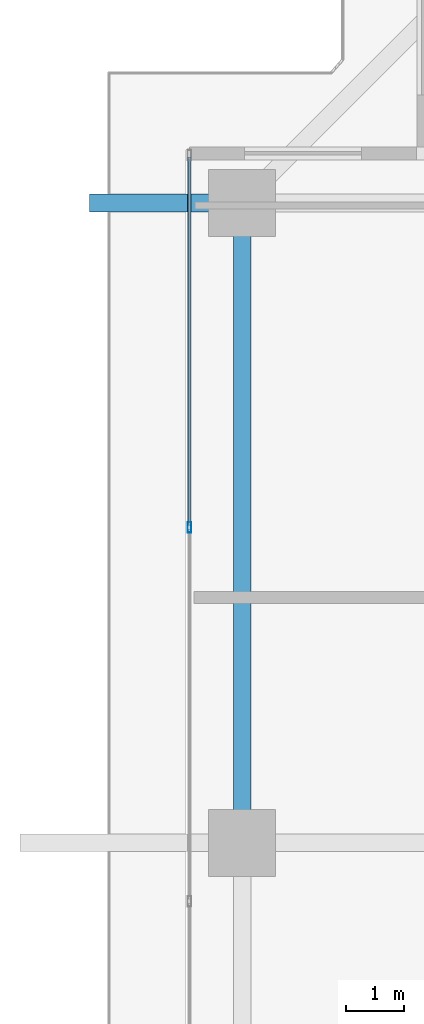
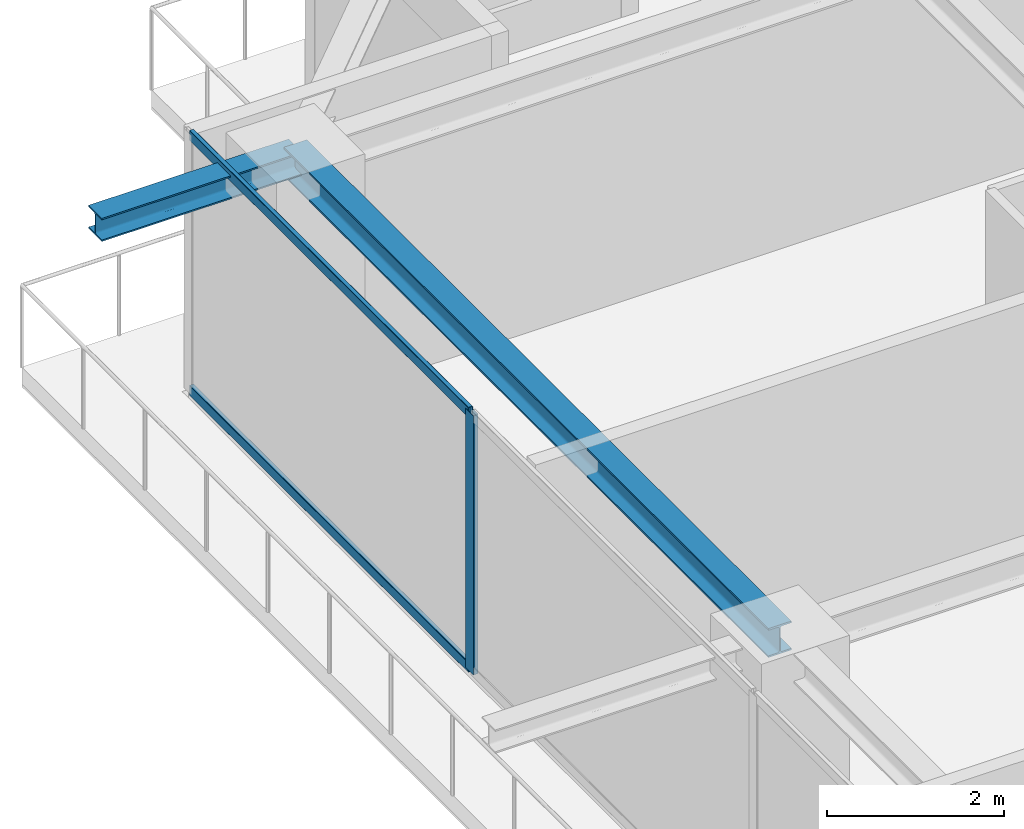
# One storey, part 16 of 37: 3 members, 2 beams, 1 element without a shape of its own.
"""IFC4 building model written with IfcOpenShell, lengths in metres."""

from ifc_helpers import new_model, si_unit, direction, frame, origin, origin_2d, place, context, subcontext, project, spatial, hollow_rectangle, i_section, extrude, source, transform, mapped, material, layer, layer_set, material_profile, profile_set, type_object, element, aggregate, save


model = new_model("IFC4")

# Units and contexts
model_context = context("Model", 3, precision=1e-05, world=origin(), true_north=direction((0.0, 1.0)))
body_context = subcontext(model_context, "Body", "Model", "MODEL_VIEW")
ifc_project = project(units=[si_unit("LENGTHUNIT", "METRE"), si_unit("AREAUNIT", "SQUARE_METRE"), si_unit("VOLUMEUNIT", "CUBIC_METRE"), si_unit("PLANEANGLEUNIT", "RADIAN"), si_unit("MASSUNIT", "GRAM", prefix="KILO")], contexts=[model_context])

# Site, building, storey
site_placement = place(None, origin())
site = spatial("IfcSite", under=ifc_project, at=site_placement, CompositionType="ELEMENT")
building_placement = place(site_placement, origin())
building = spatial("IfcBuilding", under=site, at=building_placement, Name="Serunith Strait Residences", CompositionType="ELEMENT")
storey_placement = place(building_placement, frame((0.0, 0.0, 233.550048828125)))
storey = spatial("IfcBuildingStorey", under=building, at=storey_placement, Name="L58", CompositionType="ELEMENT", Elevation=233.550048828125)

# Beams
ifc_material_1 = material(Name="Steel S355J2", Category="steel")
ifc_material_profile_1 = material_profile(ifc_material_1, i_section(OverallWidth=0.300048828125, OverallDepth=0.39990234375, WebThickness=0.013427734375, FlangeThickness=0.02392578125, FilletRadius=0.027099609375, at=origin_2d()), Name="HEB 400")
ifc_profile_set_1 = profile_set([ifc_material_profile_1], Name="Steel S355J2")
beam_type_1 = type_object("IfcBeamType", Name="BM-HEB400", PredefinedType="BEAM", material=ifc_profile_set_1)
shared_shape_1 = source(origin(), body_context, "Body", "SweptSolid", [
    extrude(i_section(OverallWidth=0.300048828125, OverallDepth=0.39990234375, WebThickness=0.013427734375, FlangeThickness=0.02392578125, FilletRadius=0.027099609375, at=origin_2d()), origin(), (0.0, 0.0, 1.0), 10.9501953125),
])
beam_1_placement = place(storey_placement, frame((8.300048828125, 40.35009765625, 3.386962890625), z_axis=(0.0, -1.0, 0.0), x_axis=(1.0, 0.0, 0.0)))
element("IfcBeam", 1, at=beam_1_placement, inside=storey, type_object=beam_type_1, Name="L58 Perimeter Ring Beam 13", PredefinedType="BEAM", context=body_context, shape_type="MappedRepresentation", body=[
    mapped(shared_shape_1, transform((0.0, 0.0, 0.0), scale=1.0)),
])
ifc_material_profile_2 = material_profile(ifc_material_1, i_section(OverallWidth=0.300048828125, OverallDepth=0.320068359375, WebThickness=0.011474609375, FlangeThickness=0.0205078125, FilletRadius=0.027099609375, at=origin_2d()), Name="HEB 320")
ifc_profile_set_2 = profile_set([ifc_material_profile_2], Name="Steel S355J2")
beam_type_2 = type_object("IfcBeamType", Name="BM-HEB320", PredefinedType="BEAM", material=ifc_profile_set_2)
shared_shape_2 = source(origin(), body_context, "Body", "SweptSolid", [
    extrude(i_section(OverallWidth=0.300048828125, OverallDepth=0.320068359375, WebThickness=0.011474609375, FlangeThickness=0.0205078125, FilletRadius=0.027099609375, at=origin_2d()), origin(), (0.0, 0.0, 1.0), 2.61083984375),
])
beam_2_placement = place(storey_placement, frame((8.300048828125, 40.35009765625, 3.39697265625), z_axis=(-1.0, 0.0, 0.0), x_axis=(0.0, -1.0, 0.0)))
element("IfcBeam", 2, at=beam_2_placement, inside=storey, type_object=beam_type_2, Name="L59 Cantilevered Balcony Rib TC-W4", PredefinedType="BEAM", context=body_context, shape_type="MappedRepresentation", body=[
    mapped(shared_shape_2, transform((0.0, 0.0, 0.0), scale=1.0)),
])

# Curtain wall, members
ifc_material_2 = material(Name="Pale-Champagne Anodised Aluminium", Category="aluminium")
ifc_layer = layer(ifc_material_2, 0.199951171875, Name="Pale-Champagne Anodised Aluminium")
ifc_layer_set = layer_set([ifc_layer], Name="Pale-Champagne Anodised Aluminium")
curtain_wall_type = type_object("IfcCurtainWallType", Name="CW-SYS4", PredefinedType="NOTDEFINED", material=ifc_layer_set)
curtain_wall_placement = place(storey_placement, origin())
curtain_wall = element("IfcCurtainWall", 3, at=curtain_wall_placement, inside=storey, type_object=curtain_wall_type, Name="L58 W Unitised Fritted Curtain Wall", PredefinedType="NOTDEFINED")
ifc_material_profile_3 = material_profile(ifc_material_2, hollow_rectangle(XDim=0.06494140625, YDim=0.179931640625, WallThickness=0.00341796875, InnerFilletRadius=0.00537109375, OuterFilletRadius=0.0087890625, at=origin_2d()), Name="ALU 180x65x3.5")
ifc_profile_set_3 = profile_set([ifc_material_profile_3], Name="Pale-Champagne Anodised Aluminium")
member_type_1 = type_object("IfcMemberType", Name="CW-SYS4-MULL", PredefinedType="MULLION", material=ifc_profile_set_3)
shared_shape_3 = source(origin(), body_context, "Body", "SweptSolid", [
    extrude(hollow_rectangle(XDim=0.06494140625, YDim=0.179931640625, WallThickness=0.00341796875, InnerFilletRadius=0.00537109375, OuterFilletRadius=0.0087890625, at=origin_2d()), origin(), (0.0, 0.0, 1.0), 3.574951171875),
])
member_1_placement = place(storey_placement, frame((7.39990234375, 34.800048828125, 0.0), z_axis=(0.0, 0.0, 1.0), x_axis=(1.0, 0.0, 0.0)))
member_1 = element("IfcMember", 4, at=member_1_placement, type_object=member_type_1, Name="CW-4 mullion 2", PredefinedType="MULLION", context=body_context, shape_type="MappedRepresentation", body=[
    mapped(shared_shape_3, transform((0.0, 0.0, 0.0), scale=1.0)),
])
ifc_material_profile_4 = material_profile(ifc_material_2, hollow_rectangle(XDim=0.06005859375, YDim=0.139892578125, WallThickness=0.00341796875, InnerFilletRadius=0.00537109375, OuterFilletRadius=0.0087890625, at=origin_2d()), Name="ALU 140x60x3.5")
ifc_profile_set_4 = profile_set([ifc_material_profile_4], Name="Pale-Champagne Anodised Aluminium")
member_type_2 = type_object("IfcMemberType", Name="CW-SYS4-TRAN", PredefinedType="USERDEFINED", material=ifc_profile_set_4)
shared_shape_4 = source(origin(), body_context, "Body", "SweptSolid", [
    extrude(hollow_rectangle(XDim=0.06005859375, YDim=0.139892578125, WallThickness=0.00341796875, InnerFilletRadius=0.00537109375, OuterFilletRadius=0.0087890625, at=origin_2d()), origin(), (0.0, 0.0, 1.0), 6.302490234375),
])
member_2_placement = place(storey_placement, frame((7.39990234375, 41.135009765625, 0.030029296875), z_axis=(0.0, -1.0, 0.0), x_axis=(1.0, 0.0, 0.0)))
member_2 = element("IfcMember", 5, at=member_2_placement, type_object=member_type_2, Name="CW-4 transom 1.1", ObjectType="TRANSOM", PredefinedType="USERDEFINED", context=body_context, shape_type="MappedRepresentation", body=[
    mapped(shared_shape_4, transform((0.0, 0.0, 0.0), scale=1.0)),
])
member_3_placement = place(storey_placement, frame((7.39990234375, 41.135009765625, 3.544921875), z_axis=(0.0, -1.0, 0.0), x_axis=(1.0, 0.0, 0.0)))
member_3 = element("IfcMember", 6, at=member_3_placement, type_object=member_type_2, Name="CW-4 transom 1.2", ObjectType="TRANSOM", PredefinedType="USERDEFINED", context=body_context, shape_type="MappedRepresentation", body=[
    mapped(shared_shape_4, transform((0.0, 0.0, 0.0), scale=1.0)),
])
aggregate(curtain_wall, [member_1, member_2, member_3])

save(model, "model.ifc")
